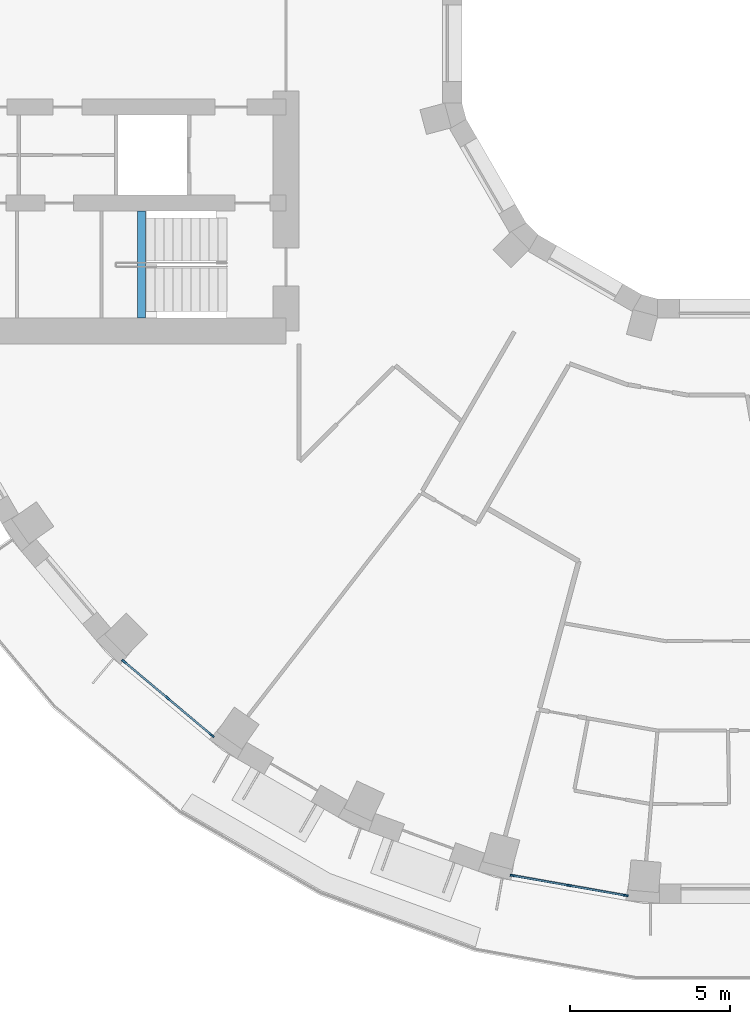
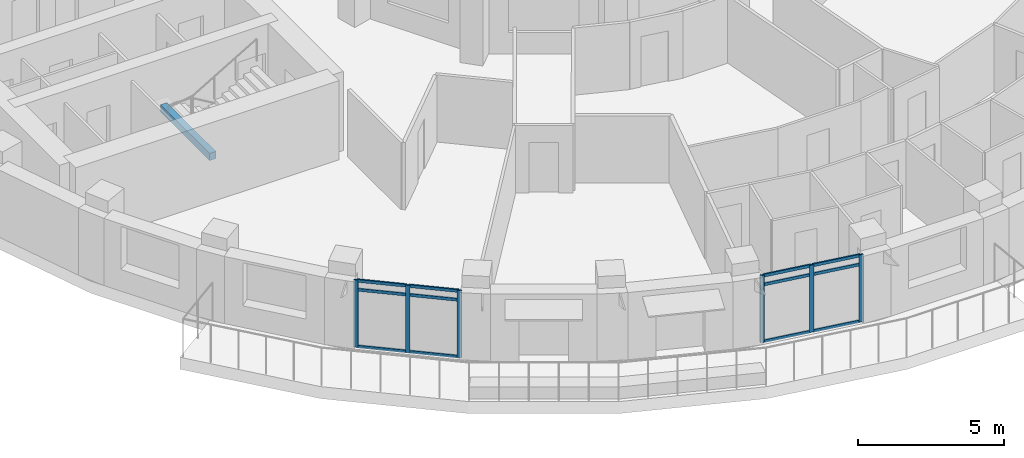
# One storey, part 2 of 14: 18 members, 1 beam, 2 elements without a shape of their own.
"""IFC4 building model written with IfcOpenShell, lengths in metres."""

from ifc_helpers import new_model, si_unit, direction, frame, origin, origin_2d, place, context, subcontext, project, spatial, rectangle, extrude, material, layer, layer_set, material_profile, profile_set, type_object, element, aggregate, save


model = new_model("IFC4")

# Units and contexts
model_context = context("Model", 3, precision=1e-05, world=origin(), true_north=direction((0.0, 1.0)))
body_context = subcontext(model_context, "Body", "Model", "MODEL_VIEW")
ifc_project = project(units=[si_unit("LENGTHUNIT", "METRE"), si_unit("AREAUNIT", "SQUARE_METRE"), si_unit("VOLUMEUNIT", "CUBIC_METRE"), si_unit("PLANEANGLEUNIT", "RADIAN"), si_unit("MASSUNIT", "GRAM", prefix="KILO")], contexts=[model_context])

# Site, building, storey
site_placement = place(None, origin())
site = spatial("IfcSite", under=ifc_project, at=site_placement, CompositionType="ELEMENT")
building_placement = place(site_placement, origin())
building = spatial("IfcBuilding", under=site, at=building_placement, Name="Saqina Gate Tower", CompositionType="ELEMENT")
storey_placement = place(building_placement, frame((0.0, 0.0, 134.800048828125)))
storey = spatial("IfcBuildingStorey", under=building, at=storey_placement, Name="L38", CompositionType="ELEMENT", Elevation=134.800048828125)

# Curtain wall, members
ifc_material_1 = material(Name="Aluminium glazing", Category="aluminium")
ifc_layer = layer(ifc_material_1, 0.159912109375)
ifc_layer_set = layer_set([ifc_layer], Name="CWT-4")
curtain_wall_type = type_object("IfcCurtainWallType", Name="CWT-4", PredefinedType="NOTDEFINED", material=ifc_layer_set)
curtain_wall_1_placement = place(storey_placement, origin())
curtain_wall_1 = element("IfcCurtainWall", 1, at=curtain_wall_1_placement, inside=storey, type_object=curtain_wall_type, Name="Terrace lounge glazing facet 23", PredefinedType="NOTDEFINED")
ifc_material_2 = material(Name="Aluminium", Category="aluminium")
ifc_material_profile_1 = material_profile(ifc_material_2, rectangle(XDim=0.06005859375, YDim=0.159912109375, at=origin_2d()), Name="Aluminium 60x160")
ifc_profile_set_1 = profile_set([ifc_material_profile_1], Name="Aluminium")
member_type_1 = type_object("IfcMemberType", Name="CWT-4M", PredefinedType="MULLION", material=ifc_profile_set_1)
member_1_placement = place(storey_placement, frame((-18.567138671875, -19.33642578125, 0.0), z_axis=(0.0, 0.0, 1.0), x_axis=(0.642790825553, 0.766041744675, 0.0)))
member_1 = element("IfcMember", 2, at=member_1_placement, type_object=member_type_1, Name="CW4-23 mullion 1", PredefinedType="MULLION", context=body_context, shape_type="SweptSolid", body=[
    extrude(rectangle(XDim=0.06005859375, YDim=0.159912109375, at=origin_2d()), origin(), (0.0, 0.0, 1.0), 2.800048828125),
])
member_2_placement = place(storey_placement, frame((-17.19287109375, -20.489501953125, 0.0), z_axis=(0.0, 0.0, 1.0), x_axis=(0.642790825553, 0.766041744675, 0.0)))
member_2 = element("IfcMember", 3, at=member_2_placement, type_object=member_type_1, Name="CW4-23 mullion 2", PredefinedType="MULLION", context=body_context, shape_type="SweptSolid", body=[
    extrude(rectangle(XDim=0.06005859375, YDim=0.159912109375, at=origin_2d()), origin(), (0.0, 0.0, 1.0), 2.800048828125),
])
member_3_placement = place(storey_placement, frame((-15.818603515625, -21.642822265625, 0.0), z_axis=(0.0, 0.0, 1.0), x_axis=(0.642790825553, 0.766041744675, 0.0)))
member_3 = element("IfcMember", 4, at=member_3_placement, type_object=member_type_1, Name="CW4-23 mullion 3", PredefinedType="MULLION", context=body_context, shape_type="SweptSolid", body=[
    extrude(rectangle(XDim=0.06005859375, YDim=0.159912109375, at=origin_2d()), origin(), (0.0, 0.0, 1.0), 2.800048828125),
])

curtain_wall_2_placement = place(storey_placement, origin())
curtain_wall_2 = element("IfcCurtainWall", 5, at=curtain_wall_2_placement, inside=storey, type_object=curtain_wall_type, Name="Terrace lounge glazing facet 26", PredefinedType="NOTDEFINED")
member_4_placement = place(storey_placement, frame((-6.411376953125, -26.029296875, 0.0), z_axis=(0.0, 0.0, 1.0), x_axis=(0.17363832834, 0.984809489664, 0.0)))
member_4 = element("IfcMember", 6, at=member_4_placement, type_object=member_type_1, Name="CW4-26 mullion 1", PredefinedType="MULLION", context=body_context, shape_type="SweptSolid", body=[
    extrude(rectangle(XDim=0.06005859375, YDim=0.159912109375, at=origin_2d()), origin(), (0.0, 0.0, 1.0), 2.800048828125),
])
member_5_placement = place(storey_placement, frame((-4.64453125, -26.3408203125, 0.0), z_axis=(0.0, 0.0, 1.0), x_axis=(0.17363832834, 0.984809489664, 0.0)))
member_5 = element("IfcMember", 7, at=member_5_placement, type_object=member_type_1, Name="CW4-26 mullion 2", PredefinedType="MULLION", context=body_context, shape_type="SweptSolid", body=[
    extrude(rectangle(XDim=0.06005859375, YDim=0.159912109375, at=origin_2d()), origin(), (0.0, 0.0, 1.0), 2.800048828125),
])
member_6_placement = place(storey_placement, frame((-2.8779296875, -26.65234375, 0.0), z_axis=(0.0, 0.0, 1.0), x_axis=(0.17363832834, 0.984809489664, 0.0)))
member_6 = element("IfcMember", 8, at=member_6_placement, type_object=member_type_1, Name="CW4-26 mullion 3", PredefinedType="MULLION", context=body_context, shape_type="SweptSolid", body=[
    extrude(rectangle(XDim=0.06005859375, YDim=0.159912109375, at=origin_2d()), origin(), (0.0, 0.0, 1.0), 2.800048828125),
])

# Member
ifc_material_3 = material(Name="Aluminium", Category="aluminium")
ifc_material_profile_2 = material_profile(ifc_material_3, rectangle(XDim=0.06005859375, YDim=0.1201171875, at=origin_2d()), Name="Aluminium 60x120")
ifc_profile_set_2 = profile_set([ifc_material_profile_2], Name="Aluminium")
member_type_2 = type_object("IfcMemberType", Name="CWT-4T", PredefinedType="USERDEFINED", material=ifc_profile_set_2)
member_7_placement = place(storey_placement, frame((-18.5439453125, -19.355712890625, 0.030029296875), z_axis=(0.766023779865, -0.64281223439, 0.0), x_axis=(0.64281223439, 0.766023779865, 0.0)))
member_7 = element("IfcMember", 9, at=member_7_placement, type_object=member_type_2, Name="CW4-23 transom 1.1", ObjectType="TRANSOM", PredefinedType="USERDEFINED", context=body_context, shape_type="SweptSolid", body=[
    extrude(rectangle(XDim=0.06005859375, YDim=0.1201171875, at=origin_2d()), origin(), (0.0, 0.0, 1.0), 1.73388671875),
])

member_8_placement = place(storey_placement, frame((-18.5439453125, -19.355712890625, 2.39990234375), z_axis=(0.766023779865, -0.64281223439, 0.0), x_axis=(0.64281223439, 0.766023779865, 0.0)))
member_8 = element("IfcMember", 10, at=member_8_placement, type_object=member_type_2, Name="CW4-23 transom 1.2", ObjectType="TRANSOM", PredefinedType="USERDEFINED", context=body_context, shape_type="SweptSolid", body=[
    extrude(rectangle(XDim=0.06005859375, YDim=0.1201171875, at=origin_2d()), origin(), (0.0, 0.0, 1.0), 1.73388671875),
])

member_9_placement = place(storey_placement, frame((-18.5439453125, -19.355712890625, 2.77001953125), z_axis=(0.766023779865, -0.64281223439, 0.0), x_axis=(0.64281223439, 0.766023779865, 0.0)))
member_9 = element("IfcMember", 11, at=member_9_placement, type_object=member_type_2, Name="CW4-23 transom 1.3", ObjectType="TRANSOM", PredefinedType="USERDEFINED", context=body_context, shape_type="SweptSolid", body=[
    extrude(rectangle(XDim=0.06005859375, YDim=0.1201171875, at=origin_2d()), origin(), (0.0, 0.0, 1.0), 1.73388671875),
])

member_10_placement = place(storey_placement, frame((-17.169921875, -20.5087890625, 0.030029296875), z_axis=(0.766012629291, -0.642825522025, 0.0), x_axis=(0.642825522025, 0.766012629291, 0.0)))
member_10 = element("IfcMember", 12, at=member_10_placement, type_object=member_type_2, Name="CW4-23 transom 2.1", ObjectType="TRANSOM", PredefinedType="USERDEFINED", context=body_context, shape_type="SweptSolid", body=[
    extrude(rectangle(XDim=0.06005859375, YDim=0.1201171875, at=origin_2d()), origin(), (0.0, 0.0, 1.0), 1.734130859375),
])

member_11_placement = place(storey_placement, frame((-17.169921875, -20.5087890625, 2.39990234375), z_axis=(0.766012629291, -0.642825522025, 0.0), x_axis=(0.642825522025, 0.766012629291, 0.0)))
member_11 = element("IfcMember", 13, at=member_11_placement, type_object=member_type_2, Name="CW4-23 transom 2.2", ObjectType="TRANSOM", PredefinedType="USERDEFINED", context=body_context, shape_type="SweptSolid", body=[
    extrude(rectangle(XDim=0.06005859375, YDim=0.1201171875, at=origin_2d()), origin(), (0.0, 0.0, 1.0), 1.734130859375),
])

member_12_placement = place(storey_placement, frame((-17.169921875, -20.5087890625, 2.77001953125), z_axis=(0.766012629291, -0.642825522025, 0.0), x_axis=(0.642825522025, 0.766012629291, 0.0)))
member_12 = element("IfcMember", 14, at=member_12_placement, type_object=member_type_2, Name="CW4-23 transom 2.3", ObjectType="TRANSOM", PredefinedType="USERDEFINED", context=body_context, shape_type="SweptSolid", body=[
    extrude(rectangle(XDim=0.06005859375, YDim=0.1201171875, at=origin_2d()), origin(), (0.0, 0.0, 1.0), 1.734130859375),
])

aggregate(curtain_wall_1, [member_1, member_2, member_3, member_7, member_8, member_9, member_10, member_11, member_12])

member_13_placement = place(storey_placement, frame((-6.381591796875, -26.03466796875, 0.030029296875), z_axis=(0.98481331257, -0.173616644895, 0.0), x_axis=(0.173616644895, 0.98481331257, 0.0)))
member_13 = element("IfcMember", 15, at=member_13_placement, type_object=member_type_2, Name="CW4-26 transom 1.1", ObjectType="TRANSOM", PredefinedType="USERDEFINED", context=body_context, shape_type="SweptSolid", body=[
    extrude(rectangle(XDim=0.06005859375, YDim=0.1201171875, at=origin_2d()), origin(), (0.0, 0.0, 1.0), 1.73388671875),
])

member_14_placement = place(storey_placement, frame((-6.381591796875, -26.03466796875, 2.39990234375), z_axis=(0.98481331257, -0.173616644895, 0.0), x_axis=(0.173616644895, 0.98481331257, 0.0)))
member_14 = element("IfcMember", 16, at=member_14_placement, type_object=member_type_2, Name="CW4-26 transom 1.2", ObjectType="TRANSOM", PredefinedType="USERDEFINED", context=body_context, shape_type="SweptSolid", body=[
    extrude(rectangle(XDim=0.06005859375, YDim=0.1201171875, at=origin_2d()), origin(), (0.0, 0.0, 1.0), 1.73388671875),
])

member_15_placement = place(storey_placement, frame((-6.381591796875, -26.03466796875, 2.77001953125), z_axis=(0.98481331257, -0.173616644895, 0.0), x_axis=(0.173616644895, 0.98481331257, 0.0)))
member_15 = element("IfcMember", 17, at=member_15_placement, type_object=member_type_2, Name="CW4-26 transom 1.3", ObjectType="TRANSOM", PredefinedType="USERDEFINED", context=body_context, shape_type="SweptSolid", body=[
    extrude(rectangle(XDim=0.06005859375, YDim=0.1201171875, at=origin_2d()), origin(), (0.0, 0.0, 1.0), 1.73388671875),
])

member_16_placement = place(storey_placement, frame((-4.614990234375, -26.34619140625, 0.030029296875), z_axis=(0.98481331257, -0.173616644895, 0.0), x_axis=(0.173616644895, 0.98481331257, 0.0)))
member_16 = element("IfcMember", 18, at=member_16_placement, type_object=member_type_2, Name="CW4-26 transom 2.1", ObjectType="TRANSOM", PredefinedType="USERDEFINED", context=body_context, shape_type="SweptSolid", body=[
    extrude(rectangle(XDim=0.06005859375, YDim=0.1201171875, at=origin_2d()), origin(), (0.0, 0.0, 1.0), 1.73388671875),
])

member_17_placement = place(storey_placement, frame((-4.614990234375, -26.34619140625, 2.39990234375), z_axis=(0.98481331257, -0.173616644895, 0.0), x_axis=(0.173616644895, 0.98481331257, 0.0)))
member_17 = element("IfcMember", 19, at=member_17_placement, type_object=member_type_2, Name="CW4-26 transom 2.2", ObjectType="TRANSOM", PredefinedType="USERDEFINED", context=body_context, shape_type="SweptSolid", body=[
    extrude(rectangle(XDim=0.06005859375, YDim=0.1201171875, at=origin_2d()), origin(), (0.0, 0.0, 1.0), 1.73388671875),
])

member_18_placement = place(storey_placement, frame((-4.614990234375, -26.34619140625, 2.77001953125), z_axis=(0.98481331257, -0.173616644895, 0.0), x_axis=(0.173616644895, 0.98481331257, 0.0)))
member_18 = element("IfcMember", 20, at=member_18_placement, type_object=member_type_2, Name="CW4-26 transom 2.3", ObjectType="TRANSOM", PredefinedType="USERDEFINED", context=body_context, shape_type="SweptSolid", body=[
    extrude(rectangle(XDim=0.06005859375, YDim=0.1201171875, at=origin_2d()), origin(), (0.0, 0.0, 1.0), 1.73388671875),
])

aggregate(curtain_wall_2, [member_4, member_5, member_6, member_13, member_14, member_15, member_16, member_17, member_18])

# Beam
ifc_material_4 = material(Name="Concrete C40/50", Category="concrete")
ifc_material_profile_3 = material_profile(ifc_material_4, rectangle(XDim=0.25, YDim=0.300048828125, at=origin_2d()), Name="STAIR LANDING BEAM")
ifc_profile_set_3 = profile_set([ifc_material_profile_3], Name="Concrete C40/50")
beam_type = type_object("IfcBeamType", Name="STAIR LANDING BEAM", PredefinedType="BEAM", material=ifc_profile_set_3)
beam_placement = place(storey_placement, frame((-18.02001953125, -8.60009765625, 1.25), z_axis=(0.0, 1.0, 0.0), x_axis=(-1.0, 0.0, 0.0)))
element("IfcBeam", 21, at=beam_placement, inside=storey, type_object=beam_type, Name="EXIT STAIR 4 LANDING BEAM", PredefinedType="BEAM", context=body_context, shape_type="SweptSolid", body=[
    extrude(rectangle(XDim=0.25, YDim=0.300048828125, at=origin_2d()), origin(), (0.0, 0.0, 1.0), 3.35009765625),
])

save(model, "model.ifc")
